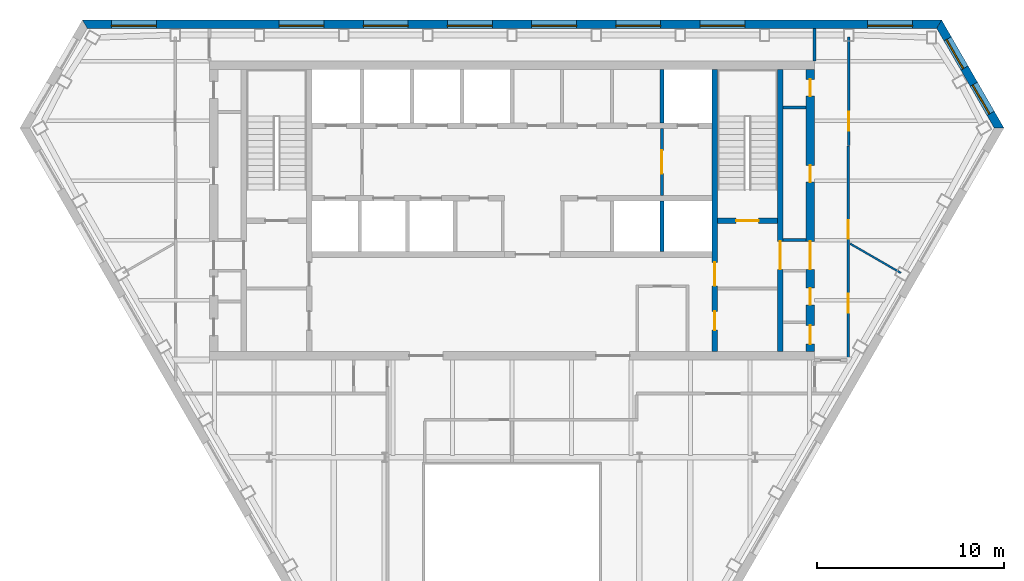
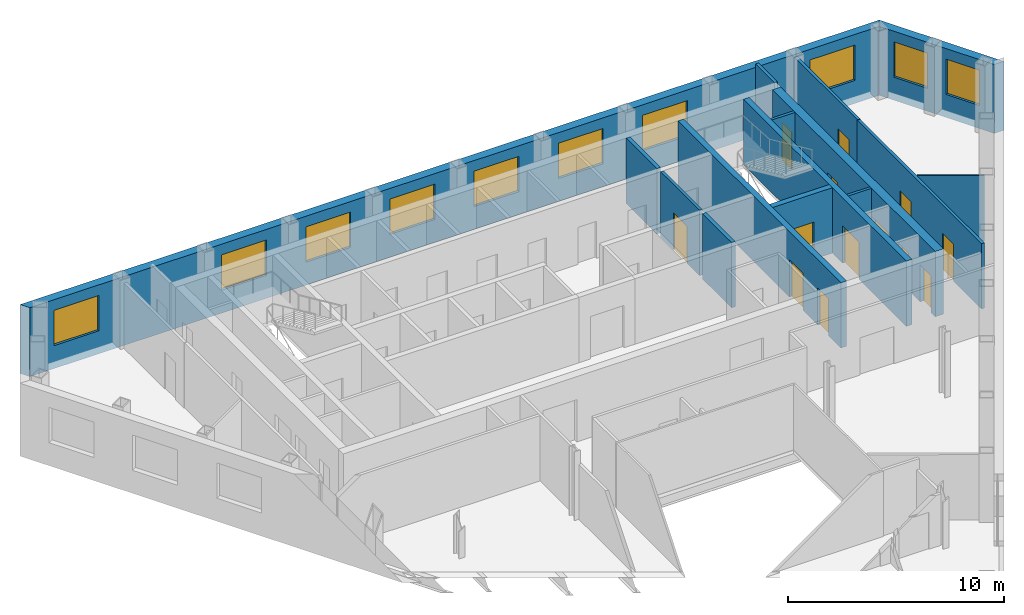
# One storey, part 7 of 10: 15 walls, 13 doors, 10 windows, 23 openings.
"""IFC4 building model written with IfcOpenShell, lengths in metres."""

from ifc_helpers import new_model, si_unit, direction, frame, frame_2d, origin, place, context, subcontext, project, spatial, polyline, rectangle, outline, extrude, material, layer, layer_set, type_object, element, fill, save


model = new_model("IFC4")

# Units and contexts
model_context = context("Model", 3, precision=1e-05, world=origin(), true_north=direction((0.0, 1.0)))
body_context = subcontext(model_context, "Body", "Model", "MODEL_VIEW")
ifc_project = project(units=[si_unit("LENGTHUNIT", "METRE"), si_unit("AREAUNIT", "SQUARE_METRE"), si_unit("VOLUMEUNIT", "CUBIC_METRE"), si_unit("PLANEANGLEUNIT", "RADIAN"), si_unit("MASSUNIT", "GRAM", prefix="KILO")], contexts=[model_context])

# Site, building, storey
site_placement = place(None, origin())
site = spatial("IfcSite", under=ifc_project, at=site_placement, CompositionType="ELEMENT")
building_placement = place(site_placement, origin())
building = spatial("IfcBuilding", under=site, at=building_placement, Name="Njiva Tower", CompositionType="ELEMENT")
storey_placement = place(building_placement, frame((0.0, 0.0, 235.5)))
storey = spatial("IfcBuildingStorey", under=building, at=storey_placement, Name="L53", CompositionType="ELEMENT", Elevation=235.5)

# Wall, openings, doors
ifc_material_1 = material(Name="Concrete C40/50", Category="concrete")
ifc_layer_1 = layer(ifc_material_1, 0.3)
ifc_layer_set_1 = layer_set([ifc_layer_1], Name="Concrete C40/50")
wall_type_1 = type_object("IfcWallType", Name="WT10 Stair enclosure wall 300", PredefinedType="SHEAR", material=ifc_layer_set_1)
wall_1_placement = place(storey_placement, frame((10.85, 2.45, 0.0), z_axis=(0.0, 0.0, 1.0), x_axis=(0.0, 1.0, 0.0)))
wall_1 = element("IfcWall", 1, at=wall_1_placement, inside=storey, type_object=wall_type_1, Name="Stair wall east inner", PredefinedType="SHEAR", context=body_context, shape_type="SweptSolid", body=[
    extrude(rectangle(XDim=15.1, YDim=0.3, at=frame_2d((7.55, 0.0))), origin(), (0.0, 0.0, 1.0), 3.7),
])
opening_1_placement = place(wall_1_placement, frame((3.525, 0.0, 0.0)))
opening_1 = element("IfcOpeningElement", 2, at=opening_1_placement, cuts=wall_1, Name="Opening S17-D920", PredefinedType="OPENING", context=body_context, shape_type="SweptSolid", body=[
    extrude(rectangle(XDim=1.25, YDim=2.1, at=frame_2d((0.625, 1.05))), frame((0.0, 0.16, 0.0), z_axis=(0.0, -1.0, 0.0), x_axis=(1.0, 0.0, 0.0)), (0.0, 0.0, 1.0), 0.32),
])
opening_2_placement = place(wall_1_placement, frame((1.15, 0.0, 0.0)))
opening_2 = element("IfcOpeningElement", 3, at=opening_2_placement, cuts=wall_1, Name="Opening S17-D921", PredefinedType="OPENING", context=body_context, shape_type="SweptSolid", body=[
    extrude(rectangle(XDim=1.0, YDim=2.1, at=frame_2d((0.5, 1.05))), frame((0.0, 0.16, 0.0), z_axis=(0.0, -1.0, 0.0), x_axis=(1.0, 0.0, 0.0)), (0.0, 0.0, 1.0), 0.32),
])
ifc_material_2 = material(Name="Steel door, painted", Category="steel")
door_type_1 = type_object("IfcDoorType", Name="D5 Steel door 1000x2100", OperationType="SINGLE_SWING_LEFT", PredefinedType="DOOR", material=ifc_material_2)
door_1_placement = place(opening_2_placement, origin())
door_1 = element("IfcDoor", 4, at=door_1_placement, inside=storey, type_object=door_type_1, Name="Meeting room door", OperationType="SINGLE_SWING_LEFT", OverallHeight=2.1, OverallWidth=1.0, PredefinedType="DOOR", context=body_context, shape_type="SweptSolid", body=[
    extrude(rectangle(XDim=1.0, YDim=2.1, at=frame_2d((0.5, 1.05))), frame((0.0, 0.025, 0.0), z_axis=(0.0, -1.0, 0.0), x_axis=(1.0, 0.0, 0.0)), (0.0, 0.0, 1.0), 0.05),
])
fill(opening_2, door_1)
ifc_material_3 = material(Name="Glazed steel fire door", Category="steel")
door_type_2 = type_object("IfcDoorType", Name="D8 Vestibule corridor door 1250x2100 glazed", OperationType="SINGLE_SWING_LEFT", PredefinedType="DOOR", material=ifc_material_3)
door_2_placement = place(opening_1_placement, origin())
door_2 = element("IfcDoor", 5, at=door_2_placement, inside=storey, type_object=door_type_2, Name="Stair vestibule corridor door", OperationType="SINGLE_SWING_RIGHT", OverallHeight=2.1, OverallWidth=1.25, PredefinedType="DOOR", context=body_context, shape_type="SweptSolid", body=[
    extrude(rectangle(XDim=1.25, YDim=2.1, at=frame_2d((0.625, 1.05))), frame((0.0, 0.025, 0.0), z_axis=(0.0, -1.0, 0.0), x_axis=(1.0, 0.0, 0.0)), (0.0, 0.0, 1.0), 0.05),
])
fill(opening_1, door_2)

# Wall, opening, door
wall_2_placement = place(storey_placement, frame((14.35, 2.45, 0.0), z_axis=(0.0, 0.0, 1.0), x_axis=(0.0, 1.0, 0.0)))
wall_2 = element("IfcWall", 6, at=wall_2_placement, inside=storey, type_object=wall_type_1, Name="Stair wall east outer", PredefinedType="SHEAR", context=body_context, shape_type="SweptSolid", body=[
    extrude(rectangle(XDim=15.1, YDim=0.3, at=frame_2d((7.55, 0.0))), origin(), (0.0, 0.0, 1.0), 3.7),
])
opening_3_placement = place(wall_2_placement, frame((4.4, 0.0, 0.0)))
opening_3 = element("IfcOpeningElement", 7, at=opening_3_placement, cuts=wall_2, Name="Opening S17-D928", PredefinedType="OPENING", context=body_context, shape_type="SweptSolid", body=[
    extrude(rectangle(XDim=1.5, YDim=2.1, at=frame_2d((0.75, 1.05))), frame((0.0, 0.16, 0.0), z_axis=(0.0, -1.0, 0.0), x_axis=(1.0, 0.0, 0.0)), (0.0, 0.0, 1.0), 0.32),
])
door_type_3 = type_object("IfcDoorType", Name="D10 Exit door double 1500x2100 glazed", OperationType="DOUBLE_DOOR_SINGLE_SWING", PredefinedType="DOOR", material=ifc_material_3)
door_3_placement = place(opening_3_placement, origin())
door_3 = element("IfcDoor", 8, at=door_3_placement, inside=storey, type_object=door_type_3, Name="Stair B passage door", OperationType="DOUBLE_DOOR_SINGLE_SWING", OverallHeight=2.1, OverallWidth=1.5, PredefinedType="DOOR", context=body_context, shape_type="SweptSolid", body=[
    extrude(rectangle(XDim=1.5, YDim=2.1, at=frame_2d((0.75, 1.05))), frame((0.0, 0.025, 0.0), z_axis=(0.0, -1.0, 0.0), x_axis=(1.0, 0.0, 0.0)), (0.0, 0.0, 1.0), 0.05),
])
fill(opening_3, door_3)

wall_3_placement = place(storey_placement, frame((11.0, 9.45, 0.0), z_axis=(0.0, 0.0, 1.0), x_axis=(1.0, 0.0, 0.0)))
wall_3 = element("IfcWall", 9, at=wall_3_placement, inside=storey, type_object=wall_type_1, Name="Stair B south wall", PredefinedType="SHEAR", context=body_context, shape_type="SweptSolid", body=[
    extrude(rectangle(XDim=3.2, YDim=0.3, at=frame_2d((1.6, 0.0))), origin(), (0.0, 0.0, 1.0), 3.7),
])
opening_4_placement = place(wall_3_placement, frame((1.0, 0.0, 0.0)))
opening_4 = element("IfcOpeningElement", 10, at=opening_4_placement, cuts=wall_3, Name="Opening S17-D919", PredefinedType="OPENING", context=body_context, shape_type="SweptSolid", body=[
    extrude(rectangle(XDim=1.2, YDim=2.1, at=frame_2d((0.6, 1.05))), frame((0.0, 0.16, 0.0), z_axis=(0.0, -1.0, 0.0), x_axis=(1.0, 0.0, 0.0)), (0.0, 0.0, 1.0), 0.32),
])
door_type_4 = type_object("IfcDoorType", Name="D7 Stair vestibule door 1200x2100 glazed", OperationType="SINGLE_SWING_LEFT", PredefinedType="DOOR", material=ifc_material_3)
door_4_placement = place(opening_4_placement, origin())
door_4 = element("IfcDoor", 11, at=door_4_placement, inside=storey, type_object=door_type_4, Name="Stair B door", OperationType="SINGLE_SWING_LEFT", OverallHeight=2.1, OverallWidth=1.2, PredefinedType="DOOR", context=body_context, shape_type="SweptSolid", body=[
    extrude(rectangle(XDim=1.2, YDim=2.1, at=frame_2d((0.6, 1.05))), frame((0.0, 0.025, 0.0), z_axis=(0.0, -1.0, 0.0), x_axis=(1.0, 0.0, 0.0)), (0.0, 0.0, 1.0), 0.05),
])
fill(opening_4, door_4)

# Wall, openings, doors
ifc_material_4 = material(Name="Concrete C60/75", Category="concrete")
ifc_layer_2 = layer(ifc_material_4, 0.45)
ifc_layer_set_2 = layer_set([ifc_layer_2], Name="Concrete C60/75")
wall_type_2 = type_object("IfcWallType", Name="WT12 Core wall 450", PredefinedType="SHEAR", material=ifc_layer_set_2)
wall_4_placement = place(storey_placement, frame((15.975, 2.45, 0.0), z_axis=(0.0, 0.0, 1.0), x_axis=(0.0, 1.0, 0.0)))
wall_4 = element("IfcWall", 12, at=wall_4_placement, inside=storey, type_object=wall_type_2, Name="Core wall east", PredefinedType="SHEAR", context=body_context, shape_type="SweptSolid", body=[
    extrude(rectangle(XDim=15.1, YDim=0.45, at=frame_2d((7.55, 0.0))), origin(), (0.0, 0.0, 1.0), 3.7),
])
opening_5_placement = place(wall_4_placement, frame((4.4, 0.0, 0.0)))
opening_5 = element("IfcOpeningElement", 13, at=opening_5_placement, cuts=wall_4, Name="Opening S17-D929", PredefinedType="OPENING", context=body_context, shape_type="SweptSolid", body=[
    extrude(rectangle(XDim=1.5, YDim=2.1, at=frame_2d((0.75, 1.05))), frame((0.0, 0.235, 0.0), z_axis=(0.0, -1.0, 0.0), x_axis=(1.0, 0.0, 0.0)), (0.0, 0.0, 1.0), 0.47),
])
opening_6_placement = place(wall_4_placement, frame((0.4, 0.0, 0.0)))
opening_6 = element("IfcOpeningElement", 14, at=opening_6_placement, cuts=wall_4, Name="Opening S17-D930", PredefinedType="OPENING", context=body_context, shape_type="SweptSolid", body=[
    extrude(rectangle(XDim=1.0, YDim=2.1, at=frame_2d((0.5, 1.05))), frame((0.0, 0.235, 0.0), z_axis=(0.0, -1.0, 0.0), x_axis=(1.0, 0.0, 0.0)), (0.0, 0.0, 1.0), 0.47),
])
opening_7_placement = place(wall_4_placement, frame((2.5, 0.0, 0.0)))
opening_7 = element("IfcOpeningElement", 15, at=opening_7_placement, cuts=wall_4, Name="Opening S17-D931", PredefinedType="OPENING", context=body_context, shape_type="SweptSolid", body=[
    extrude(rectangle(XDim=0.9, YDim=2.1, at=frame_2d((0.45, 1.05))), frame((0.0, 0.235, 0.0), z_axis=(0.0, -1.0, 0.0), x_axis=(1.0, 0.0, 0.0)), (0.0, 0.0, 1.0), 0.47),
])
opening_8_placement = place(wall_4_placement, frame((9.0707, 0.0, 0.0)))
opening_8 = element("IfcOpeningElement", 16, at=opening_8_placement, cuts=wall_4, Name="Opening S17-D932", PredefinedType="OPENING", context=body_context, shape_type="SweptSolid", body=[
    extrude(rectangle(XDim=0.9, YDim=2.1, at=frame_2d((0.45, 1.05))), frame((0.0, 0.235, 0.0), z_axis=(0.0, -1.0, 0.0), x_axis=(1.0, 0.0, 0.0)), (0.0, 0.0, 1.0), 0.47),
])
opening_9_placement = place(wall_4_placement, frame((13.6707, 0.0, 0.0)))
opening_9 = element("IfcOpeningElement", 17, at=opening_9_placement, cuts=wall_4, Name="Opening S17-D933", PredefinedType="OPENING", context=body_context, shape_type="SweptSolid", body=[
    extrude(rectangle(XDim=0.9, YDim=2.1, at=frame_2d((0.45, 1.05))), frame((0.0, 0.235, 0.0), z_axis=(0.0, -1.0, 0.0), x_axis=(1.0, 0.0, 0.0)), (0.0, 0.0, 1.0), 0.47),
])
door_5_placement = place(opening_5_placement, origin())
door_5 = element("IfcDoor", 18, at=door_5_placement, inside=storey, type_object=door_type_3, Name="Stair B corridor door", OperationType="DOUBLE_DOOR_SINGLE_SWING", OverallHeight=2.1, OverallWidth=1.5, PredefinedType="DOOR", context=body_context, shape_type="SweptSolid", body=[
    extrude(rectangle(XDim=1.5, YDim=2.1, at=frame_2d((0.75, 1.05))), frame((0.0, 0.025, 0.0), z_axis=(0.0, -1.0, 0.0), x_axis=(1.0, 0.0, 0.0)), (0.0, 0.0, 1.0), 0.05),
])
fill(opening_5, door_5)
door_type_5 = type_object("IfcDoorType", Name="D4 Riser door 900x2100", OperationType="SINGLE_SWING_LEFT", PredefinedType="DOOR", material=ifc_material_2)
door_6_placement = place(opening_9_placement, origin())
door_6 = element("IfcDoor", 19, at=door_6_placement, inside=storey, type_object=door_type_5, Name="Cable riser door", OperationType="SINGLE_SWING_RIGHT", OverallHeight=2.1, OverallWidth=0.9, PredefinedType="DOOR", context=body_context, shape_type="SweptSolid", body=[
    extrude(rectangle(XDim=0.9, YDim=2.1, at=frame_2d((0.45, 1.05))), frame((0.0, 0.025, 0.0), z_axis=(0.0, -1.0, 0.0), x_axis=(1.0, 0.0, 0.0)), (0.0, 0.0, 1.0), 0.05),
])
fill(opening_9, door_6)
door_7_placement = place(opening_6_placement, origin())
door_7 = element("IfcDoor", 20, at=door_7_placement, inside=storey, type_object=door_type_1, Name="Telecoms room door", OperationType="SINGLE_SWING_LEFT", OverallHeight=2.1, OverallWidth=1.0, PredefinedType="DOOR", context=body_context, shape_type="SweptSolid", body=[
    extrude(rectangle(XDim=1.0, YDim=2.1, at=frame_2d((0.5, 1.05))), frame((0.0, 0.025, 0.0), z_axis=(0.0, -1.0, 0.0), x_axis=(1.0, 0.0, 0.0)), (0.0, 0.0, 1.0), 0.05),
])
fill(opening_6, door_7)
ifc_material_5 = material(Name="Steel fire door, painted", Category="steel")
door_type_6 = type_object("IfcDoorType", Name="D6 Fire-rated door 900x2100", OperationType="SINGLE_SWING_LEFT", PredefinedType="DOOR", material=ifc_material_5)
door_8_placement = place(opening_7_placement, origin())
door_8 = element("IfcDoor", 21, at=door_8_placement, inside=storey, type_object=door_type_6, Name="Cable store door", OperationType="SINGLE_SWING_LEFT", OverallHeight=2.1, OverallWidth=0.9, PredefinedType="DOOR", context=body_context, shape_type="SweptSolid", body=[
    extrude(rectangle(XDim=0.9, YDim=2.1, at=frame_2d((0.45, 1.05))), frame((0.0, 0.025, 0.0), z_axis=(0.0, -1.0, 0.0), x_axis=(1.0, 0.0, 0.0)), (0.0, 0.0, 1.0), 0.05),
])
fill(opening_7, door_8)
door_9_placement = place(opening_8_placement, origin())
door_9 = element("IfcDoor", 22, at=door_9_placement, inside=storey, type_object=door_type_6, Name="Cable store door", OperationType="SINGLE_SWING_RIGHT", OverallHeight=2.1, OverallWidth=0.9, PredefinedType="DOOR", context=body_context, shape_type="SweptSolid", body=[
    extrude(rectangle(XDim=0.9, YDim=2.1, at=frame_2d((0.45, 1.05))), frame((0.0, 0.025, 0.0), z_axis=(0.0, -1.0, 0.0), x_axis=(1.0, 0.0, 0.0)), (0.0, 0.0, 1.0), 0.05),
])
fill(opening_8, door_9)

# Wall, opening, door
ifc_material_6 = material(Name="Blockwork", Category="masonry")
ifc_layer_3 = layer(ifc_material_6, 0.15)
ifc_layer_set_3 = layer_set([ifc_layer_3], Name="Blockwork")
wall_type_3 = type_object("IfcWallType", Name="WT2 Lobby partition 150", PredefinedType="PARTITIONING", material=ifc_layer_set_3)
wall_5_placement = place(storey_placement, frame((8.025, 10.8, 0.0), z_axis=(0.0, 0.0, 1.0), x_axis=(0.0, 1.0, 0.0)))
wall_5 = element("IfcWall", 23, at=wall_5_placement, inside=storey, type_object=wall_type_3, Name="Firefighting lobby wall B", PredefinedType="PARTITIONING", context=body_context, shape_type="SweptSolid", body=[
    extrude(rectangle(XDim=3.6, YDim=0.15, at=frame_2d((1.8, 0.0))), origin(), (0.0, 0.0, 1.0), 3.7),
])
opening_10_placement = place(wall_5_placement, frame((1.175, 0.0, 0.0)))
opening_10 = element("IfcOpeningElement", 24, at=opening_10_placement, cuts=wall_5, Name="Opening S17-D918", PredefinedType="OPENING", context=body_context, shape_type="SweptSolid", body=[
    extrude(rectangle(XDim=1.25, YDim=2.1, at=frame_2d((0.625, 1.05))), frame((0.0, 0.085, 0.0), z_axis=(0.0, -1.0, 0.0), x_axis=(1.0, 0.0, 0.0)), (0.0, 0.0, 1.0), 0.17),
])
door_10_placement = place(opening_10_placement, origin())
door_10 = element("IfcDoor", 25, at=door_10_placement, inside=storey, type_object=door_type_2, Name="Stair vestibule corridor door", OperationType="SINGLE_SWING_LEFT", OverallHeight=2.1, OverallWidth=1.25, PredefinedType="DOOR", context=body_context, shape_type="SweptSolid", body=[
    extrude(rectangle(XDim=1.25, YDim=2.1, at=frame_2d((0.625, 1.05))), frame((0.0, 0.025, 0.0), z_axis=(0.0, -1.0, 0.0), x_axis=(1.0, 0.0, 0.0)), (0.0, 0.0, 1.0), 0.05),
])
fill(opening_10, door_10)

# Walls
ifc_material_7 = material(Name="Gypsum board on steel studs", Category="gypsum")
ifc_layer_4 = layer(ifc_material_7, 0.1)
ifc_layer_set_4 = layer_set([ifc_layer_4], Name="Gypsum board on steel studs")
wall_type_4 = type_object("IfcWallType", Name="WT20 Gypsum partition 100", PredefinedType="PARTITIONING", material=ifc_layer_set_4)
wall_6_placement = place(storey_placement, frame((18.1, 8.229, 0.0), z_axis=(0.0, 0.0, 1.0), x_axis=(0.866058244174, -0.499943114462, 0.0)))
element("IfcWall", 26, at=wall_6_placement, inside=storey, type_object=wall_type_4, Name="Partition S17-P028", PredefinedType="PARTITIONING", context=body_context, shape_type="SweptSolid", body=[
    extrude(rectangle(XDim=3.1384, YDim=0.1, at=frame_2d((1.5692, 0.0))), origin(), (0.0, 0.0, 1.0), 3.7),
])
ifc_layer_5 = layer(ifc_material_7, 0.15)
ifc_layer_set_5 = layer_set([ifc_layer_5], Name="Gypsum board on steel studs")
wall_type_5 = type_object("IfcWallType", Name="WT21 Compartment wall 150", PredefinedType="PARTITIONING", material=ifc_layer_set_5)
wall_7_placement = place(storey_placement, frame((16.2, 18.0, 0.0), z_axis=(0.0, 0.0, 1.0), x_axis=(0.0, 1.0, 0.0)))
element("IfcWall", 27, at=wall_7_placement, inside=storey, type_object=wall_type_5, Name="Partition S17-P025", PredefinedType="PARTITIONING", context=body_context, shape_type="SweptSolid", body=[
    extrude(rectangle(XDim=1.75, YDim=0.15, at=frame_2d((0.875, 0.0))), origin(), (0.0, 0.0, 1.0), 3.7),
])

# Wall, openings, doors
wall_8_placement = place(storey_placement, frame((18.0, 1.925, 0.0), z_axis=(0.0, 0.0, 1.0), x_axis=(0.0, 1.0, 0.0)))
wall_8 = element("IfcWall", 28, at=wall_8_placement, inside=storey, type_object=wall_type_5, Name="Partition S17-P026", PredefinedType="PARTITIONING", context=body_context, shape_type="SweptSolid", body=[
    extrude(rectangle(XDim=11.533, YDim=0.15, at=frame_2d((5.7665, 0.0))), origin(), (0.0, 0.0, 1.0), 3.7),
])
opening_11_placement = place(wall_8_placement, frame((2.609, 0.0, 0.0)))
opening_11 = element("IfcOpeningElement", 29, at=opening_11_placement, cuts=wall_8, Name="Opening S17-D016", PredefinedType="OPENING", context=body_context, shape_type="SweptSolid", body=[
    extrude(rectangle(XDim=1.0, YDim=2.1, at=frame_2d((0.5, 1.05))), frame((0.0, 0.085, 0.0), z_axis=(0.0, -1.0, 0.0), x_axis=(1.0, 0.0, 0.0)), (0.0, 0.0, 1.0), 0.17),
])
opening_12_placement = place(wall_8_placement, frame((6.562, 0.0, 0.0)))
opening_12 = element("IfcOpeningElement", 30, at=opening_12_placement, cuts=wall_8, Name="Opening S17-D017", PredefinedType="OPENING", context=body_context, shape_type="SweptSolid", body=[
    extrude(rectangle(XDim=1.0, YDim=2.1, at=frame_2d((0.5, 1.05))), frame((0.0, 0.085, 0.0), z_axis=(0.0, -1.0, 0.0), x_axis=(1.0, 0.0, 0.0)), (0.0, 0.0, 1.0), 0.17),
])
ifc_material_8 = material(Name="Steel fire door set", Category="steel")
door_type_7 = type_object("IfcDoorType", Name="D37 Fire door 1000x2100", OperationType="SINGLE_SWING_LEFT", PredefinedType="DOOR", material=ifc_material_8)
door_11_placement = place(opening_11_placement, origin())
door_11 = element("IfcDoor", 31, at=door_11_placement, inside=storey, type_object=door_type_7, Name="Door S17-D016", OperationType="SINGLE_SWING_LEFT", OverallHeight=2.1, OverallWidth=1.0, PredefinedType="DOOR", context=body_context, shape_type="SweptSolid", body=[
    extrude(rectangle(XDim=1.0, YDim=2.1, at=frame_2d((0.5, 1.05))), frame((0.0, 0.025, 0.0), z_axis=(0.0, -1.0, 0.0), x_axis=(1.0, 0.0, 0.0)), (0.0, 0.0, 1.0), 0.05),
])
fill(opening_11, door_11)
door_12_placement = place(opening_12_placement, origin())
door_12 = element("IfcDoor", 32, at=door_12_placement, inside=storey, type_object=door_type_7, Name="Door S17-D017", OperationType="SINGLE_SWING_RIGHT", OverallHeight=2.1, OverallWidth=1.0, PredefinedType="DOOR", context=body_context, shape_type="SweptSolid", body=[
    extrude(rectangle(XDim=1.0, YDim=2.1, at=frame_2d((0.5, 1.05))), frame((0.0, 0.025, 0.0), z_axis=(0.0, -1.0, 0.0), x_axis=(1.0, 0.0, 0.0)), (0.0, 0.0, 1.0), 0.05),
])
fill(opening_12, door_12)

# Wall, opening, door
wall_9_placement = place(storey_placement, frame((18.027, 13.476, 0.0), z_axis=(0.0, 0.0, 1.0), x_axis=(0.0, 1.0, 0.0)))
wall_9 = element("IfcWall", 33, at=wall_9_placement, inside=storey, type_object=wall_type_5, Name="Partition S17-P027", PredefinedType="PARTITIONING", context=body_context, shape_type="SweptSolid", body=[
    extrude(rectangle(XDim=5.824, YDim=0.15, at=frame_2d((2.912, 0.0))), origin(), (0.0, 0.0, 1.0), 3.7),
])
opening_13_placement = place(wall_9_placement, frame((0.803, 0.0, 0.0)))
opening_13 = element("IfcOpeningElement", 34, at=opening_13_placement, cuts=wall_9, Name="Opening S17-D018", PredefinedType="OPENING", context=body_context, shape_type="SweptSolid", body=[
    extrude(rectangle(XDim=1.0, YDim=2.1, at=frame_2d((0.5, 1.05))), frame((0.0, 0.085, 0.0), z_axis=(0.0, -1.0, 0.0), x_axis=(1.0, 0.0, 0.0)), (0.0, 0.0, 1.0), 0.17),
])
door_13_placement = place(opening_13_placement, origin())
door_13 = element("IfcDoor", 35, at=door_13_placement, inside=storey, type_object=door_type_7, Name="Door S17-D018", OperationType="SINGLE_SWING_LEFT", OverallHeight=2.1, OverallWidth=1.0, PredefinedType="DOOR", context=body_context, shape_type="SweptSolid", body=[
    extrude(rectangle(XDim=1.0, YDim=2.1, at=frame_2d((0.5, 1.05))), frame((0.0, 0.025, 0.0), z_axis=(0.0, -1.0, 0.0), x_axis=(1.0, 0.0, 0.0)), (0.0, 0.0, 1.0), 0.05),
])
fill(opening_13, door_13)

# Walls
ifc_layer_6 = layer(ifc_material_6, 0.15)
ifc_layer_set_6 = layer_set([ifc_layer_6], Name="Blockwork")
wall_type_6 = type_object("IfcWallType", Name="WT3 Riser partition 150", PredefinedType="PARTITIONING", material=ifc_layer_set_6)
wall_10_placement = place(storey_placement, frame((14.5, 15.5163, 0.0), z_axis=(0.0, 0.0, 1.0), x_axis=(1.0, 0.0, 0.0)))
element("IfcWall", 36, at=wall_10_placement, inside=storey, type_object=wall_type_6, Name="Partition strip E10", PredefinedType="PARTITIONING", context=body_context, shape_type="SweptSolid", body=[
    extrude(rectangle(XDim=1.25, YDim=0.15, at=frame_2d((0.625, 0.0))), origin(), (0.0, 0.0, 1.0), 3.7),
])
ifc_layer_7 = layer(ifc_material_6, 0.15)
ifc_layer_set_7 = layer_set([ifc_layer_7], Name="Blockwork")
wall_type_7 = type_object("IfcWallType", Name="WT4 Stair partition 150", PredefinedType="PARTITIONING", material=ifc_layer_set_7)
wall_11_placement = place(storey_placement, frame((14.5, 8.425, 0.0), z_axis=(0.0, 0.0, 1.0), x_axis=(1.0, 0.0, 0.0)))
element("IfcWall", 37, at=wall_11_placement, inside=storey, type_object=wall_type_7, Name="Stair B exit passage wall north", PredefinedType="PARTITIONING", context=body_context, shape_type="SweptSolid", body=[
    extrude(rectangle(XDim=1.25, YDim=0.15, at=frame_2d((0.625, 0.0))), origin(), (0.0, 0.0, 1.0), 3.7),
])
ifc_layer_8 = layer(ifc_material_1, 0.2)
ifc_layer_set_8 = layer_set([ifc_layer_8], Name="Concrete C40/50")
wall_type_8 = type_object("IfcWallType", Name="WT6 Lift shaft wall 200", PredefinedType="SHEAR", material=ifc_layer_set_8)
wall_12_placement = place(storey_placement, frame((8.025, 14.7, 0.0), z_axis=(0.0, 0.0, 1.0), x_axis=(0.0, 1.0, 0.0)))
element("IfcWall", 38, at=wall_12_placement, inside=storey, type_object=wall_type_8, Name="Shaft wall CN7", PredefinedType="SHEAR", context=body_context, shape_type="SweptSolid", body=[
    extrude(rectangle(XDim=2.85, YDim=0.2, at=frame_2d((1.425, 0.0))), origin(), (0.0, 0.0, 1.0), 3.7),
])
wall_13_placement = place(storey_placement, frame((8.0333, 7.8, 0.0), z_axis=(0.0, 0.0, 1.0), x_axis=(0.0, 1.0, 0.0)))
element("IfcWall", 39, at=wall_13_placement, inside=storey, type_object=wall_type_8, Name="Shaft wall CS7", PredefinedType="SHEAR", context=body_context, shape_type="SweptSolid", body=[
    extrude(rectangle(XDim=2.7, YDim=0.2, at=frame_2d((1.35, 0.0))), origin(), (0.0, 0.0, 1.0), 3.7),
])

# Wall, openings, windows
ifc_material_9 = material(Name="Brick masonry", Category="masonry")
ifc_layer_9 = layer(ifc_material_9, 0.45)
ifc_layer_set_9 = layer_set([ifc_layer_9], Name="Brick masonry")
wall_type_9 = type_object("IfcWallType", Name="WT90 Brick pier and spandrel wall 450", PredefinedType="SOLIDWALL", material=ifc_layer_set_9)
wall_14_placement = place(storey_placement, frame((22.8651, 19.975, -0.4), z_axis=(0.0, 0.0, 1.0), x_axis=(-1.0, 0.0, 0.0)))
wall_14 = element("IfcWall", 40, at=wall_14_placement, inside=storey, type_object=wall_type_9, Name="Facade wall N", PredefinedType="SOLIDWALL", context=body_context, shape_type="SweptSolid", body=[
    extrude(outline(polyline([(-0.1299, -0.225), (45.8601, -0.225), (45.6003, 0.225), (0.1299, 0.225), (-0.1299, -0.225)])), origin(), (0.0, 0.0, 1.0), 3.9),
])
opening_14_placement = place(wall_14_placement, frame((1.4237, 0.0, 1.3)))
opening_14 = element("IfcOpeningElement", 41, at=opening_14_placement, cuts=wall_14, Name="Opening S17-W01", PredefinedType="OPENING", context=body_context, shape_type="SweptSolid", body=[
    extrude(rectangle(XDim=2.4, YDim=2.0, at=frame_2d((1.2, 1.0))), frame((0.0, 0.235, 0.0), z_axis=(0.0, -1.0, 0.0), x_axis=(1.0, 0.0, 0.0)), (0.0, 0.0, 1.0), 0.47),
])
opening_15_placement = place(wall_14_placement, frame((10.3985, 0.0, 1.3)))
opening_15 = element("IfcOpeningElement", 42, at=opening_15_placement, cuts=wall_14, Name="Opening S17-W02", PredefinedType="OPENING", context=body_context, shape_type="SweptSolid", body=[
    extrude(rectangle(XDim=2.4, YDim=2.0, at=frame_2d((1.2, 1.0))), frame((0.0, 0.235, 0.0), z_axis=(0.0, -1.0, 0.0), x_axis=(1.0, 0.0, 0.0)), (0.0, 0.0, 1.0), 0.47),
])
opening_16_placement = place(wall_14_placement, frame((14.9052, 0.0, 1.3)))
opening_16 = element("IfcOpeningElement", 43, at=opening_16_placement, cuts=wall_14, Name="Opening S17-W03", PredefinedType="OPENING", context=body_context, shape_type="SweptSolid", body=[
    extrude(rectangle(XDim=2.4, YDim=2.0, at=frame_2d((1.2, 1.0))), frame((0.0, 0.235, 0.0), z_axis=(0.0, -1.0, 0.0), x_axis=(1.0, 0.0, 0.0)), (0.0, 0.0, 1.0), 0.47),
])
opening_17_placement = place(wall_14_placement, frame((19.4118, 0.0, 1.3)))
opening_17 = element("IfcOpeningElement", 44, at=opening_17_placement, cuts=wall_14, Name="Opening S17-W04", PredefinedType="OPENING", context=body_context, shape_type="SweptSolid", body=[
    extrude(rectangle(XDim=2.4, YDim=2.0, at=frame_2d((1.2, 1.0))), frame((0.0, 0.235, 0.0), z_axis=(0.0, -1.0, 0.0), x_axis=(1.0, 0.0, 0.0)), (0.0, 0.0, 1.0), 0.47),
])
opening_18_placement = place(wall_14_placement, frame((23.9184, 0.0, 1.3)))
opening_18 = element("IfcOpeningElement", 45, at=opening_18_placement, cuts=wall_14, Name="Opening S17-W05", PredefinedType="OPENING", context=body_context, shape_type="SweptSolid", body=[
    extrude(rectangle(XDim=2.4, YDim=2.0, at=frame_2d((1.2, 1.0))), frame((0.0, 0.235, 0.0), z_axis=(0.0, -1.0, 0.0), x_axis=(1.0, 0.0, 0.0)), (0.0, 0.0, 1.0), 0.47),
])
opening_19_placement = place(wall_14_placement, frame((28.425, 0.0, 1.3)))
opening_19 = element("IfcOpeningElement", 46, at=opening_19_placement, cuts=wall_14, Name="Opening S17-W06", PredefinedType="OPENING", context=body_context, shape_type="SweptSolid", body=[
    extrude(rectangle(XDim=2.4, YDim=2.0, at=frame_2d((1.2, 1.0))), frame((0.0, 0.235, 0.0), z_axis=(0.0, -1.0, 0.0), x_axis=(1.0, 0.0, 0.0)), (0.0, 0.0, 1.0), 0.47),
])
opening_20_placement = place(wall_14_placement, frame((32.9316, 0.0, 1.3)))
opening_20 = element("IfcOpeningElement", 47, at=opening_20_placement, cuts=wall_14, Name="Opening S17-W07", PredefinedType="OPENING", context=body_context, shape_type="SweptSolid", body=[
    extrude(rectangle(XDim=2.4, YDim=2.0, at=frame_2d((1.2, 1.0))), frame((0.0, 0.235, 0.0), z_axis=(0.0, -1.0, 0.0), x_axis=(1.0, 0.0, 0.0)), (0.0, 0.0, 1.0), 0.47),
])
opening_21_placement = place(wall_14_placement, frame((41.9065, 0.0, 1.3)))
opening_21 = element("IfcOpeningElement", 48, at=opening_21_placement, cuts=wall_14, Name="Opening S17-W08", PredefinedType="OPENING", context=body_context, shape_type="SweptSolid", body=[
    extrude(rectangle(XDim=2.4, YDim=2.0, at=frame_2d((1.2, 1.0))), frame((0.0, 0.235, 0.0), z_axis=(0.0, -1.0, 0.0), x_axis=(1.0, 0.0, 0.0)), (0.0, 0.0, 1.0), 0.47),
])
ifc_material_10 = material(Name="Clear glazing in aluminium frame", Category="aluminium")
window_type_1 = type_object("IfcWindowType", Name="W90 Deep-set window 2400x2000", PartitioningType="SINGLE_PANEL", PredefinedType="WINDOW", material=ifc_material_10)
window_1_placement = place(opening_14_placement, origin())
window_1 = element("IfcWindow", 49, at=window_1_placement, inside=storey, type_object=window_type_1, Name="Window", OverallHeight=2.0, OverallWidth=2.4, PartitioningType="SINGLE_PANEL", PredefinedType="WINDOW", context=body_context, shape_type="SweptSolid", body=[
    extrude(rectangle(XDim=2.4, YDim=2.0, at=frame_2d((1.2, 1.0))), frame((0.0, 0.105, 0.0), z_axis=(0.0, -1.0, 0.0), x_axis=(1.0, 0.0, 0.0)), (0.0, 0.0, 1.0), 0.06),
])
fill(opening_14, window_1)
window_2_placement = place(opening_15_placement, origin())
window_2 = element("IfcWindow", 50, at=window_2_placement, inside=storey, type_object=window_type_1, Name="Window", OverallHeight=2.0, OverallWidth=2.4, PartitioningType="SINGLE_PANEL", PredefinedType="WINDOW", context=body_context, shape_type="SweptSolid", body=[
    extrude(rectangle(XDim=2.4, YDim=2.0, at=frame_2d((1.2, 1.0))), frame((0.0, 0.105, 0.0), z_axis=(0.0, -1.0, 0.0), x_axis=(1.0, 0.0, 0.0)), (0.0, 0.0, 1.0), 0.06),
])
fill(opening_15, window_2)
window_3_placement = place(opening_16_placement, origin())
window_3 = element("IfcWindow", 51, at=window_3_placement, inside=storey, type_object=window_type_1, Name="Window", OverallHeight=2.0, OverallWidth=2.4, PartitioningType="SINGLE_PANEL", PredefinedType="WINDOW", context=body_context, shape_type="SweptSolid", body=[
    extrude(rectangle(XDim=2.4, YDim=2.0, at=frame_2d((1.2, 1.0))), frame((0.0, 0.105, 0.0), z_axis=(0.0, -1.0, 0.0), x_axis=(1.0, 0.0, 0.0)), (0.0, 0.0, 1.0), 0.06),
])
fill(opening_16, window_3)
window_4_placement = place(opening_17_placement, origin())
window_4 = element("IfcWindow", 52, at=window_4_placement, inside=storey, type_object=window_type_1, Name="Window", OverallHeight=2.0, OverallWidth=2.4, PartitioningType="SINGLE_PANEL", PredefinedType="WINDOW", context=body_context, shape_type="SweptSolid", body=[
    extrude(rectangle(XDim=2.4, YDim=2.0, at=frame_2d((1.2, 1.0))), frame((0.0, 0.105, 0.0), z_axis=(0.0, -1.0, 0.0), x_axis=(1.0, 0.0, 0.0)), (0.0, 0.0, 1.0), 0.06),
])
fill(opening_17, window_4)
window_5_placement = place(opening_18_placement, origin())
window_5 = element("IfcWindow", 53, at=window_5_placement, inside=storey, type_object=window_type_1, Name="Window", OverallHeight=2.0, OverallWidth=2.4, PartitioningType="SINGLE_PANEL", PredefinedType="WINDOW", context=body_context, shape_type="SweptSolid", body=[
    extrude(rectangle(XDim=2.4, YDim=2.0, at=frame_2d((1.2, 1.0))), frame((0.0, 0.105, 0.0), z_axis=(0.0, -1.0, 0.0), x_axis=(1.0, 0.0, 0.0)), (0.0, 0.0, 1.0), 0.06),
])
fill(opening_18, window_5)
window_6_placement = place(opening_19_placement, origin())
window_6 = element("IfcWindow", 54, at=window_6_placement, inside=storey, type_object=window_type_1, Name="Window", OverallHeight=2.0, OverallWidth=2.4, PartitioningType="SINGLE_PANEL", PredefinedType="WINDOW", context=body_context, shape_type="SweptSolid", body=[
    extrude(rectangle(XDim=2.4, YDim=2.0, at=frame_2d((1.2, 1.0))), frame((0.0, 0.105, 0.0), z_axis=(0.0, -1.0, 0.0), x_axis=(1.0, 0.0, 0.0)), (0.0, 0.0, 1.0), 0.06),
])
fill(opening_19, window_6)
window_7_placement = place(opening_20_placement, origin())
window_7 = element("IfcWindow", 55, at=window_7_placement, inside=storey, type_object=window_type_1, Name="Window", OverallHeight=2.0, OverallWidth=2.4, PartitioningType="SINGLE_PANEL", PredefinedType="WINDOW", context=body_context, shape_type="SweptSolid", body=[
    extrude(rectangle(XDim=2.4, YDim=2.0, at=frame_2d((1.2, 1.0))), frame((0.0, 0.105, 0.0), z_axis=(0.0, -1.0, 0.0), x_axis=(1.0, 0.0, 0.0)), (0.0, 0.0, 1.0), 0.06),
])
fill(opening_20, window_7)
window_8_placement = place(opening_21_placement, origin())
window_8 = element("IfcWindow", 56, at=window_8_placement, inside=storey, type_object=window_type_1, Name="Window", OverallHeight=2.0, OverallWidth=2.4, PartitioningType="SINGLE_PANEL", PredefinedType="WINDOW", context=body_context, shape_type="SweptSolid", body=[
    extrude(rectangle(XDim=2.4, YDim=2.0, at=frame_2d((1.2, 1.0))), frame((0.0, 0.105, 0.0), z_axis=(0.0, -1.0, 0.0), x_axis=(1.0, 0.0, 0.0)), (0.0, 0.0, 1.0), 0.06),
])
fill(opening_21, window_8)

ifc_material_11 = material(Name="Brick masonry, buff", Category="masonry")
ifc_layer_10 = layer(ifc_material_11, 0.45)
ifc_layer_set_10 = layer_set([ifc_layer_10], Name="Brick masonry, buff")
wall_type_10 = type_object("IfcWallType", Name="WT94 Brick pier and spandrel wall 450, buff", PredefinedType="SOLIDWALL", material=ifc_layer_set_10)
wall_15_placement = place(storey_placement, frame((26.0789, 14.4171, -0.4), z_axis=(0.0, 0.0, 1.0), x_axis=(-0.499997052475, 0.866027105532, 0.0)))
wall_15 = element("IfcWall", 57, at=wall_15_placement, inside=storey, type_object=wall_type_10, Name="Facade wall NE", PredefinedType="SOLIDWALL", context=body_context, shape_type="SweptSolid", body=[
    extrude(outline(polyline([(-0.1299, -0.225), (6.5501, -0.225), (6.2903, 0.225), (0.1299, 0.225), (-0.1299, -0.225)])), origin(), (0.0, 0.0, 1.0), 3.9),
])
opening_22_placement = place(wall_15_placement, frame((0.9094, 0.0, 1.3)))
opening_22 = element("IfcOpeningElement", 58, at=opening_22_placement, cuts=wall_15, Name="Opening S17-W30", PredefinedType="OPENING", context=body_context, shape_type="SweptSolid", body=[
    extrude(rectangle(XDim=1.8, YDim=2.0, at=frame_2d((0.9, 1.0))), frame((0.0, 0.235, 0.0), z_axis=(0.0, -1.0, 0.0), x_axis=(1.0, 0.0, 0.0)), (0.0, 0.0, 1.0), 0.47),
])
opening_23_placement = place(wall_15_placement, frame((3.7107, 0.0, 1.3)))
opening_23 = element("IfcOpeningElement", 59, at=opening_23_placement, cuts=wall_15, Name="Opening S17-W31", PredefinedType="OPENING", context=body_context, shape_type="SweptSolid", body=[
    extrude(rectangle(XDim=1.8, YDim=2.0, at=frame_2d((0.9, 1.0))), frame((0.0, 0.235, 0.0), z_axis=(0.0, -1.0, 0.0), x_axis=(1.0, 0.0, 0.0)), (0.0, 0.0, 1.0), 0.47),
])
window_type_2 = type_object("IfcWindowType", Name="W94 Deep-set window 1800x2000", PartitioningType="SINGLE_PANEL", PredefinedType="WINDOW", material=ifc_material_10)
window_9_placement = place(opening_22_placement, origin())
window_9 = element("IfcWindow", 60, at=window_9_placement, inside=storey, type_object=window_type_2, Name="Window", OverallHeight=2.0, OverallWidth=1.8, PartitioningType="SINGLE_PANEL", PredefinedType="WINDOW", context=body_context, shape_type="SweptSolid", body=[
    extrude(rectangle(XDim=1.8, YDim=2.0, at=frame_2d((0.9, 1.0))), frame((0.0, 0.105, 0.0), z_axis=(0.0, -1.0, 0.0), x_axis=(1.0, 0.0, 0.0)), (0.0, 0.0, 1.0), 0.06),
])
fill(opening_22, window_9)
window_10_placement = place(opening_23_placement, origin())
window_10 = element("IfcWindow", 61, at=window_10_placement, inside=storey, type_object=window_type_2, Name="Window", OverallHeight=2.0, OverallWidth=1.8, PartitioningType="SINGLE_PANEL", PredefinedType="WINDOW", context=body_context, shape_type="SweptSolid", body=[
    extrude(rectangle(XDim=1.8, YDim=2.0, at=frame_2d((0.9, 1.0))), frame((0.0, 0.105, 0.0), z_axis=(0.0, -1.0, 0.0), x_axis=(1.0, 0.0, 0.0)), (0.0, 0.0, 1.0), 0.06),
])
fill(opening_23, window_10)

save(model, "model.ifc")
